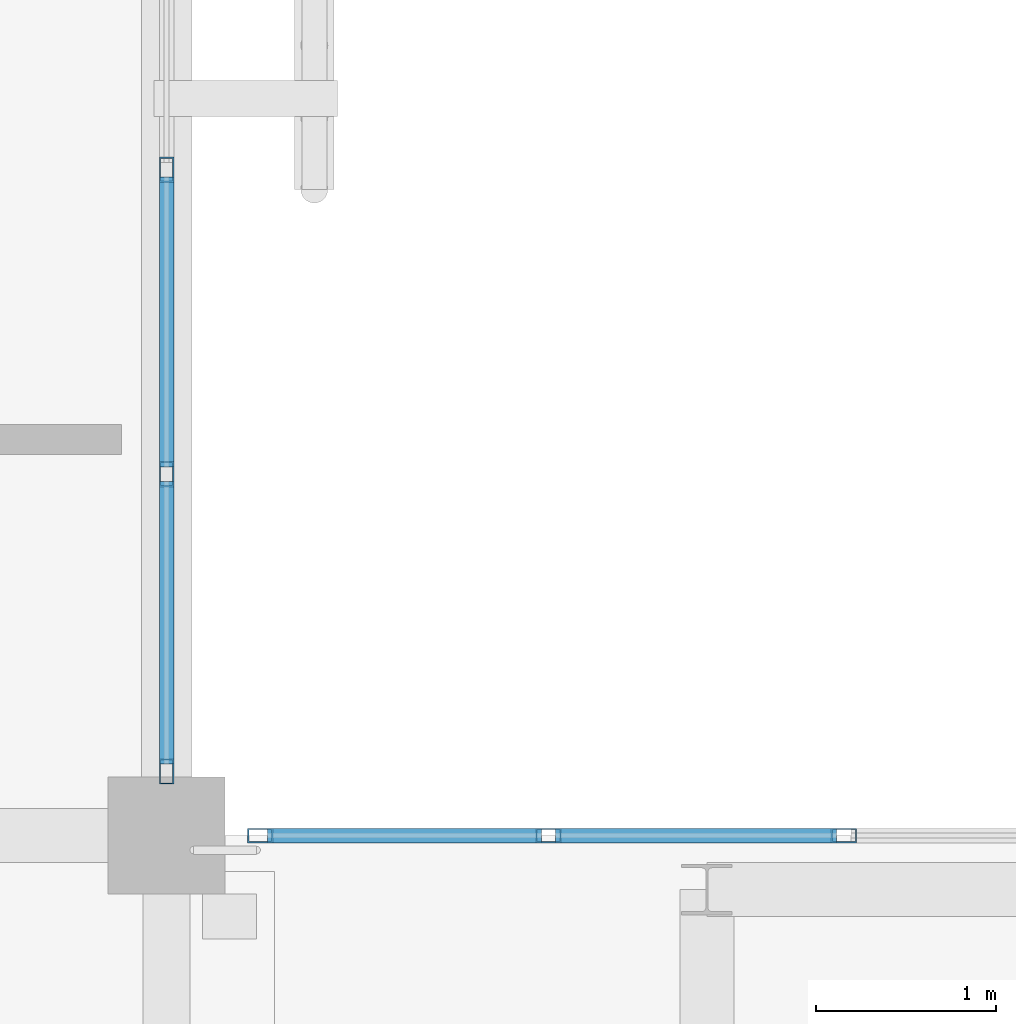
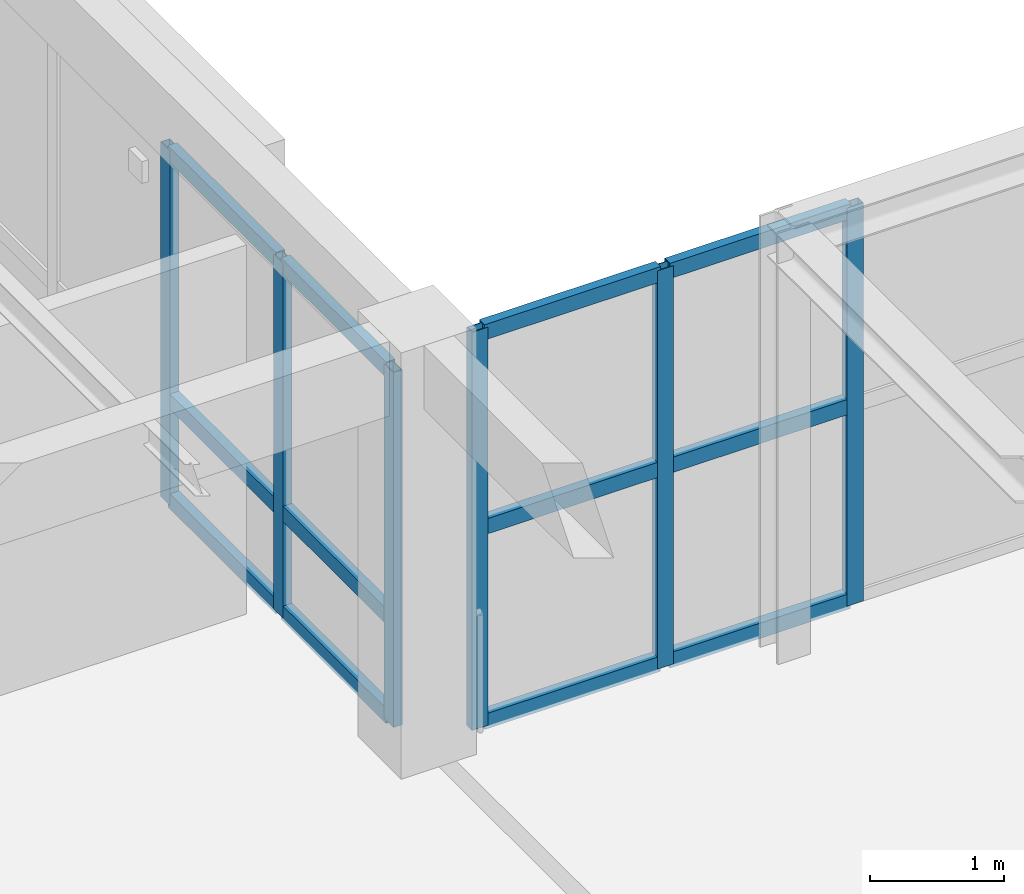
# One storey, part 66 of 170: 18 members, 2 elements without a shape of their own.
"""IFC4 building model written with IfcOpenShell, lengths in metres."""

from ifc_helpers import new_model, si_unit, direction, frame, origin, origin_2d, place, context, subcontext, project, spatial, hollow_rectangle, extrude, material, layer, layer_set, material_profile, profile_set, type_object, element, aggregate, save


model = new_model("IFC4")

# Units and contexts
model_context = context("Model", 3, precision=1e-05, world=origin(), true_north=direction((0.0, 1.0)))
body_context = subcontext(model_context, "Body", "Model", "MODEL_VIEW")
ifc_project = project(units=[si_unit("LENGTHUNIT", "METRE"), si_unit("AREAUNIT", "SQUARE_METRE"), si_unit("VOLUMEUNIT", "CUBIC_METRE"), si_unit("PLANEANGLEUNIT", "RADIAN"), si_unit("MASSUNIT", "GRAM", prefix="KILO")], contexts=[model_context])

# Site, building, storey
site_placement = place(None, origin())
site = spatial("IfcSite", under=ifc_project, at=site_placement, CompositionType="ELEMENT")
building_placement = place(site_placement, origin())
building = spatial("IfcBuilding", under=site, at=building_placement, Name="Mazaris Harbour Polytechnic", CompositionType="ELEMENT")
storey_placement = place(building_placement, frame((0.0, 0.0, 5.39990234375)))
storey = spatial("IfcBuildingStorey", under=building, at=storey_placement, Name="L01", CompositionType="ELEMENT", Elevation=5.39990234375)

# Curtain wall, members
ifc_material_1 = material(Name="Anodised Bronze Aluminium and Low-E Glass", Category="aluminium")
ifc_layer_1 = layer(ifc_material_1, 0.159912109375, Name="Anodised Bronze Aluminium and Low-E Glass")
ifc_layer_set_1 = layer_set([ifc_layer_1], Name="Anodised Bronze Aluminium and Low-E Glass")
curtain_wall_type_1 = type_object("IfcCurtainWallType", Name="Cloister Court Curtain Wall", PredefinedType="NOTDEFINED", material=ifc_layer_set_1)
curtain_wall_1_placement = place(storey_placement, origin())
curtain_wall_1 = element("IfcCurtainWall", 1, at=curtain_wall_1_placement, inside=storey, type_object=curtain_wall_type_1, Name="V4 L01 Curtain Wall 115", PredefinedType="NOTDEFINED")
ifc_material_2 = material(Name="Anodised Bronze Steel S355", Category="steel")
ifc_material_profile_1 = material_profile(ifc_material_2, hollow_rectangle(XDim=0.080078125, YDim=0.139892578125, WallThickness=0.00634765625, at=origin_2d()), Name="RHS 80x140x6.3")
ifc_profile_set_1 = profile_set([ifc_material_profile_1], Name="Anodised Bronze Steel S355")
member_type_1 = type_object("IfcMemberType", Name="Curtain Mullion RHS80x140", PredefinedType="MULLION", material=ifc_profile_set_1)
member_1_placement = place(storey_placement, frame((43.199951171875, 86.497314453125, 0.0), z_axis=(0.0, 0.0, 1.0), x_axis=(1.0, 0.0, 0.0)))
member_1 = element("IfcMember", 2, at=member_1_placement, type_object=member_type_1, Name="CW-02 mullion 5", PredefinedType="MULLION", context=body_context, shape_type="SweptSolid", body=[
    extrude(hollow_rectangle(XDim=0.080078125, YDim=0.139892578125, WallThickness=0.00634765625, at=origin_2d()), origin(), (0.0, 0.0, 1.0), 3.239990234375),
])
member_2_placement = place(storey_placement, frame((43.199951171875, 84.80712890625, 0.0), z_axis=(0.0, 0.0, 1.0), x_axis=(1.0, 0.0, 0.0)))
member_2 = element("IfcMember", 3, at=member_2_placement, type_object=member_type_1, Name="CW-02 mullion 6", PredefinedType="MULLION", context=body_context, shape_type="SweptSolid", body=[
    extrude(hollow_rectangle(XDim=0.080078125, YDim=0.139892578125, WallThickness=0.00634765625, at=origin_2d()), origin(), (0.0, 0.0, 1.0), 3.239990234375),
])
member_3_placement = place(storey_placement, frame((43.199951171875, 83.156982421875, 0.0), z_axis=(0.0, 0.0, 1.0), x_axis=(1.0, 0.0, 0.0)))
member_3 = element("IfcMember", 4, at=member_3_placement, type_object=member_type_1, Name="CW-02 mullion 7", PredefinedType="MULLION", context=body_context, shape_type="SweptSolid", body=[
    extrude(hollow_rectangle(XDim=0.080078125, YDim=0.139892578125, WallThickness=0.00634765625, at=origin_2d()), origin(), (0.0, 0.0, 1.0), 3.239990234375),
])

ifc_material_3 = material(Name="Anodised Bronze Aluminium and Low-E Glass", Category="aluminium")
ifc_layer_2 = layer(ifc_material_3, 0.139892578125, Name="Anodised Bronze Aluminium and Low-E Glass")
ifc_layer_set_2 = layer_set([ifc_layer_2], Name="Anodised Bronze Aluminium and Low-E Glass")
curtain_wall_type_2 = type_object("IfcCurtainWallType", Name="Seismic Link Bridge Glazing", PredefinedType="NOTDEFINED", material=ifc_layer_set_2)
curtain_wall_2_placement = place(storey_placement, origin())
curtain_wall_2 = element("IfcCurtainWall", 5, at=curtain_wall_2_placement, inside=storey, type_object=curtain_wall_type_2, Name="PB-W2 L01 Bridge Glazing", PredefinedType="NOTDEFINED")
member_4_placement = place(storey_placement, frame((46.9599609375, 82.800048828125, 0.0), z_axis=(0.0, 0.0, 1.0), x_axis=(0.0, -1.0, 0.0)))
member_4 = element("IfcMember", 6, at=member_4_placement, type_object=member_type_1, Name="CW-05 mullion 5", PredefinedType="MULLION", context=body_context, shape_type="SweptSolid", body=[
    extrude(hollow_rectangle(XDim=0.080078125, YDim=0.139892578125, WallThickness=0.00634765625, at=origin_2d()), origin(), (0.0, 0.0, 1.0), 3.635009765625),
])
member_5_placement = place(storey_placement, frame((45.320068359375, 82.800048828125, 0.0), z_axis=(0.0, 0.0, 1.0), x_axis=(0.0, -1.0, 0.0)))
member_5 = element("IfcMember", 7, at=member_5_placement, type_object=member_type_1, Name="CW-05 mullion 6", PredefinedType="MULLION", context=body_context, shape_type="SweptSolid", body=[
    extrude(hollow_rectangle(XDim=0.080078125, YDim=0.139892578125, WallThickness=0.00634765625, at=origin_2d()), origin(), (0.0, 0.0, 1.0), 3.635009765625),
])
member_6_placement = place(storey_placement, frame((43.719970703125, 82.800048828125, 0.0), z_axis=(0.0, 0.0, 1.0), x_axis=(0.0, -1.0, 0.0)))
member_6 = element("IfcMember", 8, at=member_6_placement, type_object=member_type_1, Name="CW-05 mullion 7", PredefinedType="MULLION", context=body_context, shape_type="SweptSolid", body=[
    extrude(hollow_rectangle(XDim=0.080078125, YDim=0.139892578125, WallThickness=0.00634765625, at=origin_2d()), origin(), (0.0, 0.0, 1.0), 3.635009765625),
])

# Member
ifc_material_4 = material(Name="Anodised Bronze Steel S355", Category="steel")
ifc_material_profile_2 = material_profile(ifc_material_4, hollow_rectangle(XDim=0.080078125, YDim=0.139892578125, WallThickness=0.00634765625, at=origin_2d()), Name="RHS 80x140x6.3")
ifc_profile_set_2 = profile_set([ifc_material_profile_2], Name="Anodised Bronze Steel S355")
member_type_2 = type_object("IfcMemberType", Name="Curtain Transom RHS80x140", PredefinedType="USERDEFINED", material=ifc_profile_set_2)
member_7_placement = place(storey_placement, frame((43.199951171875, 86.457275390625, 0.0400390625), z_axis=(0.0, -1.0, 0.0), x_axis=(1.0, 0.0, 0.0)))
member_7 = element("IfcMember", 9, at=member_7_placement, type_object=member_type_2, Name="CW-02 transom 5.1", ObjectType="TRANSOM", PredefinedType="USERDEFINED", context=body_context, shape_type="SweptSolid", body=[
    extrude(hollow_rectangle(XDim=0.080078125, YDim=0.139892578125, WallThickness=0.00634765625, at=origin_2d()), origin(), (0.0, 0.0, 1.0), 1.610107421875),
])

member_8_placement = place(storey_placement, frame((43.199951171875, 86.457275390625, 0.9501953125), z_axis=(0.0, -1.0, 0.0), x_axis=(1.0, 0.0, 0.0)))
member_8 = element("IfcMember", 10, at=member_8_placement, type_object=member_type_2, Name="CW-02 transom 5.2", ObjectType="TRANSOM", PredefinedType="USERDEFINED", context=body_context, shape_type="SweptSolid", body=[
    extrude(hollow_rectangle(XDim=0.080078125, YDim=0.139892578125, WallThickness=0.00634765625, at=origin_2d()), origin(), (0.0, 0.0, 1.0), 1.610107421875),
])

member_9_placement = place(storey_placement, frame((43.199951171875, 86.457275390625, 3.2001953125), z_axis=(0.0, -1.0, 0.0), x_axis=(1.0, 0.0, 0.0)))
member_9 = element("IfcMember", 11, at=member_9_placement, type_object=member_type_2, Name="CW-02 transom 5.3", ObjectType="TRANSOM", PredefinedType="USERDEFINED", context=body_context, shape_type="SweptSolid", body=[
    extrude(hollow_rectangle(XDim=0.080078125, YDim=0.139892578125, WallThickness=0.00634765625, at=origin_2d()), origin(), (0.0, 0.0, 1.0), 1.610107421875),
])

member_10_placement = place(storey_placement, frame((43.199951171875, 84.76708984375, 0.0400390625), z_axis=(0.0, -1.0, 0.0), x_axis=(1.0, 0.0, 0.0)))
member_10 = element("IfcMember", 12, at=member_10_placement, type_object=member_type_2, Name="CW-02 transom 6.1", ObjectType="TRANSOM", PredefinedType="USERDEFINED", context=body_context, shape_type="SweptSolid", body=[
    extrude(hollow_rectangle(XDim=0.080078125, YDim=0.139892578125, WallThickness=0.00634765625, at=origin_2d()), origin(), (0.0, 0.0, 1.0), 1.570068359375),
])

member_11_placement = place(storey_placement, frame((43.199951171875, 84.76708984375, 0.9501953125), z_axis=(0.0, -1.0, 0.0), x_axis=(1.0, 0.0, 0.0)))
member_11 = element("IfcMember", 13, at=member_11_placement, type_object=member_type_2, Name="CW-02 transom 6.2", ObjectType="TRANSOM", PredefinedType="USERDEFINED", context=body_context, shape_type="SweptSolid", body=[
    extrude(hollow_rectangle(XDim=0.080078125, YDim=0.139892578125, WallThickness=0.00634765625, at=origin_2d()), origin(), (0.0, 0.0, 1.0), 1.570068359375),
])

member_12_placement = place(storey_placement, frame((43.199951171875, 84.76708984375, 3.2001953125), z_axis=(0.0, -1.0, 0.0), x_axis=(1.0, 0.0, 0.0)))
member_12 = element("IfcMember", 14, at=member_12_placement, type_object=member_type_2, Name="CW-02 transom 6.3", ObjectType="TRANSOM", PredefinedType="USERDEFINED", context=body_context, shape_type="SweptSolid", body=[
    extrude(hollow_rectangle(XDim=0.080078125, YDim=0.139892578125, WallThickness=0.00634765625, at=origin_2d()), origin(), (0.0, 0.0, 1.0), 1.570068359375),
])

aggregate(curtain_wall_1, [member_1, member_2, member_3, member_7, member_8, member_9, member_10, member_11, member_12])

member_13_placement = place(storey_placement, frame((46.919921875, 82.800048828125, 0.0400390625), z_axis=(-1.0, 0.0, 0.0), x_axis=(0.0, -1.0, 0.0)))
member_13 = element("IfcMember", 15, at=member_13_placement, type_object=member_type_2, Name="CW-05 transom 5.1", ObjectType="TRANSOM", PredefinedType="USERDEFINED", context=body_context, shape_type="SweptSolid", body=[
    extrude(hollow_rectangle(XDim=0.080078125, YDim=0.139892578125, WallThickness=0.00634765625, at=origin_2d()), origin(), (0.0, 0.0, 1.0), 1.559814453125),
])

member_14_placement = place(storey_placement, frame((46.919921875, 82.800048828125, 1.817626953125), z_axis=(-1.0, 0.0, 0.0), x_axis=(0.0, -1.0, 0.0)))
member_14 = element("IfcMember", 16, at=member_14_placement, type_object=member_type_2, Name="CW-05 transom 5.2", ObjectType="TRANSOM", PredefinedType="USERDEFINED", context=body_context, shape_type="SweptSolid", body=[
    extrude(hollow_rectangle(XDim=0.080078125, YDim=0.139892578125, WallThickness=0.00634765625, at=origin_2d()), origin(), (0.0, 0.0, 1.0), 1.559814453125),
])

member_15_placement = place(storey_placement, frame((46.919921875, 82.800048828125, 3.59521484375), z_axis=(-1.0, 0.0, 0.0), x_axis=(0.0, -1.0, 0.0)))
member_15 = element("IfcMember", 17, at=member_15_placement, type_object=member_type_2, Name="CW-05 transom 5.3", ObjectType="TRANSOM", PredefinedType="USERDEFINED", context=body_context, shape_type="SweptSolid", body=[
    extrude(hollow_rectangle(XDim=0.080078125, YDim=0.139892578125, WallThickness=0.00634765625, at=origin_2d()), origin(), (0.0, 0.0, 1.0), 1.559814453125),
])

member_16_placement = place(storey_placement, frame((45.280029296875, 82.800048828125, 0.0400390625), z_axis=(-1.0, 0.0, 0.0), x_axis=(0.0, -1.0, 0.0)))
member_16 = element("IfcMember", 18, at=member_16_placement, type_object=member_type_2, Name="CW-05 transom 6.1", ObjectType="TRANSOM", PredefinedType="USERDEFINED", context=body_context, shape_type="SweptSolid", body=[
    extrude(hollow_rectangle(XDim=0.080078125, YDim=0.139892578125, WallThickness=0.00634765625, at=origin_2d()), origin(), (0.0, 0.0, 1.0), 1.52001953125),
])

member_17_placement = place(storey_placement, frame((45.280029296875, 82.800048828125, 1.817626953125), z_axis=(-1.0, 0.0, 0.0), x_axis=(0.0, -1.0, 0.0)))
member_17 = element("IfcMember", 19, at=member_17_placement, type_object=member_type_2, Name="CW-05 transom 6.2", ObjectType="TRANSOM", PredefinedType="USERDEFINED", context=body_context, shape_type="SweptSolid", body=[
    extrude(hollow_rectangle(XDim=0.080078125, YDim=0.139892578125, WallThickness=0.00634765625, at=origin_2d()), origin(), (0.0, 0.0, 1.0), 1.52001953125),
])

member_18_placement = place(storey_placement, frame((45.280029296875, 82.800048828125, 3.59521484375), z_axis=(-1.0, 0.0, 0.0), x_axis=(0.0, -1.0, 0.0)))
member_18 = element("IfcMember", 20, at=member_18_placement, type_object=member_type_2, Name="CW-05 transom 6.3", ObjectType="TRANSOM", PredefinedType="USERDEFINED", context=body_context, shape_type="SweptSolid", body=[
    extrude(hollow_rectangle(XDim=0.080078125, YDim=0.139892578125, WallThickness=0.00634765625, at=origin_2d()), origin(), (0.0, 0.0, 1.0), 1.52001953125),
])

aggregate(curtain_wall_2, [member_4, member_5, member_6, member_13, member_14, member_15, member_16, member_17, member_18])

save(model, "model.ifc")
